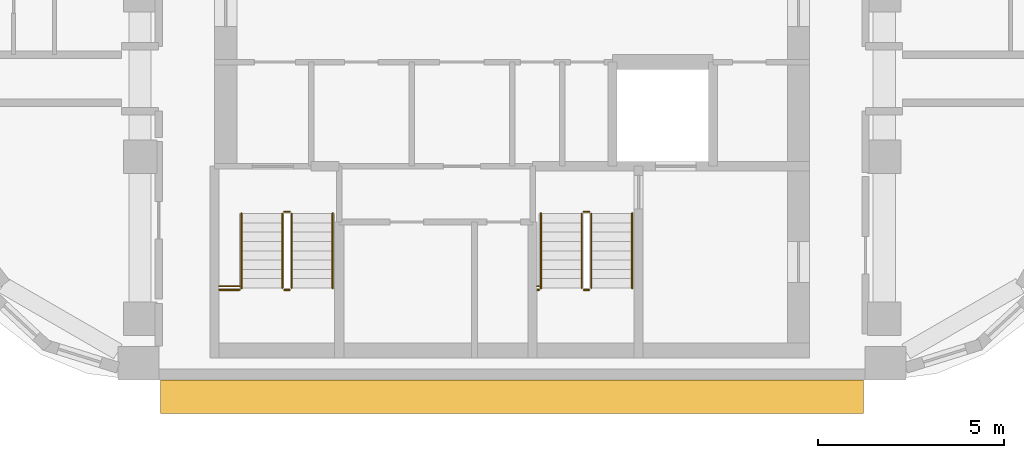
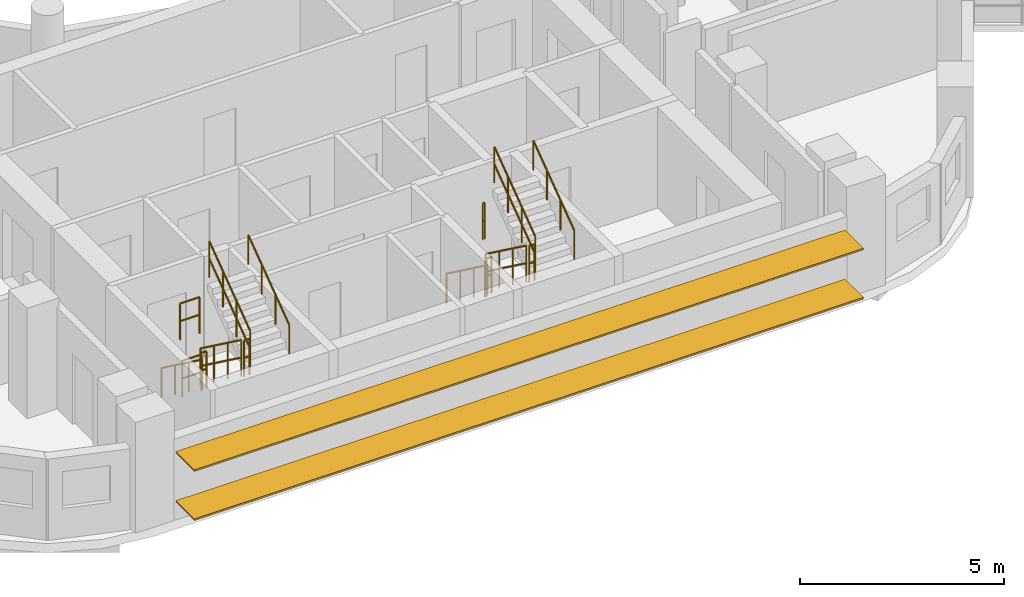
# One storey, part 10 of 12: 16 railings, 2 shading devices.
"""IFC4 building model written with IfcOpenShell, lengths in metres."""

from ifc_helpers import new_model, si_unit, direction, frame, origin, origin_2d, place, context, subcontext, project, spatial, rectangle, circle, extrude, material, material_profile, profile_set, type_object, element, save


model = new_model("IFC4")

# Units and contexts
model_context = context("Model", 3, precision=1e-05, world=origin(), true_north=direction((0.0, 1.0)))
body_context = subcontext(model_context, "Body", "Model", "MODEL_VIEW")
ifc_project = project(units=[si_unit("LENGTHUNIT", "METRE"), si_unit("AREAUNIT", "SQUARE_METRE"), si_unit("VOLUMEUNIT", "CUBIC_METRE"), si_unit("PLANEANGLEUNIT", "RADIAN"), si_unit("MASSUNIT", "GRAM", prefix="KILO")], contexts=[model_context])

# Site, building, storey
site_placement = place(None, origin())
site = spatial("IfcSite", under=ifc_project, at=site_placement, CompositionType="ELEMENT")
building_placement = place(site_placement, origin())
building = spatial("IfcBuilding", under=site, at=building_placement, Name="Nakaniwa Court", CompositionType="ELEMENT")
storey_placement = place(building_placement, frame((0.0, 0.0, 229.5)))
storey = spatial("IfcBuildingStorey", under=building, at=storey_placement, Name="L59", CompositionType="ELEMENT", Elevation=229.5)

# Shading devices
ifc_material_1 = material(Name="Perforated charcoal ceramic louvre blade")
ifc_material_profile = material_profile(ifc_material_1, rectangle(XDim=0.89990234375, YDim=0.050048828125, at=origin_2d()), Name="Perforated ceramic louvre blade")
ifc_profile_set = profile_set([ifc_material_profile], Name="Perforated charcoal ceramic louvre blade")
shading_device_type = type_object("IfcShadingDeviceType", Name="Perforated ceramic louvre blade", PredefinedType="JALOUSIE", material=ifc_profile_set)
for number, where, z_axis, x_axis, name in (
    (1, (70.55078125, 56.89990234375, 0.550048828125), (1.0, 0.0, 0.0), (0.0, 1.0, 0.0), "L59 perforated ceramic louvre blade w26 1"),
    (2, (70.55078125, 56.89990234375, 2.014892578125), (1.0, 0.0, 0.0), (0.0, 1.0, 0.0), "L59 perforated ceramic louvre blade w26 2"),
):
    element("IfcShadingDevice", number, at=place(storey_placement, frame(where, z_axis=z_axis, x_axis=x_axis)), inside=storey, type_object=shading_device_type, Name=name, PredefinedType="JALOUSIE", context=body_context, shape_type="SweptSolid", body=[
        extrude(rectangle(XDim=0.89990234375, YDim=0.050048828125, at=origin_2d()), origin(), (0.0, 0.0, 1.0), 18.892822265625),
    ])

# Railings
ifc_material_2 = material(Name="Black powder coated steel guard", Category="steel")
railing_type_1 = type_object("IfcRailingType", Name="Stair guard 1100", PredefinedType="GUARDRAIL", material=ifc_material_2)
railing_1_placement = place(storey_placement, frame((73.824951171875, 61.824951171875, 0.183349609375)))
element("IfcRailing", 3, at=railing_1_placement, inside=storey, type_object=railing_type_1, Name="L59 ST3 stair guard 1", PredefinedType="GUARDRAIL", context=body_context, shape_type="SweptSolid", body=[
    extrude(circle(Radius=0.02392578125, at=origin_2d()), frame((0.0, 0.0, 1.076171875), z_axis=(0.0, -0.806426902644, 0.591333789573), x_axis=(1.0, 0.0, 0.0)), (0.0, 0.0, 1.0), 2.47998046875),
    extrude(circle(Radius=0.02392578125, at=origin_2d()), frame((0.0, 0.0, 0.550048828125), z_axis=(0.0, -0.806426902644, 0.591333789573), x_axis=(1.0, 0.0, 0.0)), (0.0, 0.0, 1.0), 2.47998046875),
    extrude(circle(Radius=0.02099609375, at=origin_2d()), origin(), (0.0, 0.0, 1.0), 1.052001953125),
    extrude(circle(Radius=0.02099609375, at=origin_2d()), frame((0.0, -0.666748046875, 0.48876953125)), (0.0, 0.0, 1.0), 1.052001953125),
    extrude(circle(Radius=0.02099609375, at=origin_2d()), frame((0.0, -1.333251953125, 0.977783203125)), (0.0, 0.0, 1.0), 1.052001953125),
    extrude(circle(Radius=0.02099609375, at=origin_2d()), frame((0.0, -2.0, 1.466552734375)), (0.0, 0.0, 1.0), 1.052001953125),
])
railing_2_placement = place(storey_placement, frame((73.875, 59.77490234375, 1.64990234375)))
element("IfcRailing", 4, at=railing_2_placement, inside=storey, type_object=railing_type_1, Name="L59 ST3 stair guard 2", PredefinedType="GUARDRAIL", context=body_context, shape_type="SweptSolid", body=[
    extrude(circle(Radius=0.02392578125, at=origin_2d()), frame((0.0, 0.0, 1.076171875), z_axis=(1.0, 0.0, 0.0), x_axis=(0.0, 1.0, 0.0)), (0.0, 0.0, 1.0), 0.14990234375),
    extrude(circle(Radius=0.02392578125, at=origin_2d()), frame((0.0, 0.0, 0.550048828125), z_axis=(1.0, 0.0, 0.0), x_axis=(0.0, 1.0, 0.0)), (0.0, 0.0, 1.0), 0.14990234375),
    extrude(circle(Radius=0.02099609375, at=origin_2d()), origin(), (0.0, 0.0, 1.0), 1.052001953125),
    extrude(circle(Radius=0.02099609375, at=origin_2d()), frame((0.14990234375, 0.0, 0.0)), (0.0, 0.0, 1.0), 1.052001953125),
])
railing_3_placement = place(storey_placement, frame((74.074951171875, 59.824951171875, 1.833251953125)))
element("IfcRailing", 5, at=railing_3_placement, inside=storey, type_object=railing_type_1, Name="L59 ST3 stair guard 3", PredefinedType="GUARDRAIL", context=body_context, shape_type="SweptSolid", body=[
    extrude(circle(Radius=0.02392578125, at=origin_2d()), frame((0.0, 0.0, 1.076171875), z_axis=(0.0, 0.806379959628, 0.591397802423), x_axis=(-1.0, 0.0, 0.0)), (0.0, 0.0, 1.0), 2.480224609375),
    extrude(circle(Radius=0.02392578125, at=origin_2d()), frame((0.0, 0.0, 0.550048828125), z_axis=(0.0, 0.806379959628, 0.591397802423), x_axis=(-1.0, 0.0, 0.0)), (0.0, 0.0, 1.0), 2.480224609375),
    extrude(circle(Radius=0.02099609375, at=origin_2d()), origin(), (0.0, 0.0, 1.0), 1.052001953125),
    extrude(circle(Radius=0.02099609375, at=origin_2d()), frame((0.0, 0.666748046875, 0.489013671875)), (0.0, 0.0, 1.0), 1.052001953125),
    extrude(circle(Radius=0.02099609375, at=origin_2d()), frame((0.0, 1.333251953125, 0.977783203125)), (0.0, 0.0, 1.0), 1.052001953125),
    extrude(circle(Radius=0.02099609375, at=origin_2d()), frame((0.0, 2.0, 1.466796875)), (0.0, 0.0, 1.0), 1.052001953125),
])
railing_4_placement = place(storey_placement, frame((73.875, 61.875, 0.0)))
element("IfcRailing", 6, at=railing_4_placement, inside=storey, type_object=railing_type_1, Name="L59 ST3 stair guard 4", PredefinedType="GUARDRAIL", context=body_context, shape_type="SweptSolid", body=[
    extrude(circle(Radius=0.02392578125, at=origin_2d()), frame((0.0, 0.0, 1.076171875), z_axis=(1.0, 0.0, 0.0), x_axis=(0.0, 1.0, 0.0)), (0.0, 0.0, 1.0), 0.14990234375),
    extrude(circle(Radius=0.02392578125, at=origin_2d()), frame((0.0, 0.0, 0.550048828125), z_axis=(1.0, 0.0, 0.0), x_axis=(0.0, 1.0, 0.0)), (0.0, 0.0, 1.0), 0.14990234375),
    extrude(circle(Radius=0.02099609375, at=origin_2d()), origin(), (0.0, 0.0, 1.0), 1.052001953125),
    extrude(circle(Radius=0.02099609375, at=origin_2d()), frame((0.14990234375, 0.0, 0.0)), (0.0, 0.0, 1.0), 1.052001953125),
])
for number, where, name in (
    (7, (72.125, 59.77490234375, 1.64990234375), "L59 ST3 landing side guard 1W"),
    (8, (72.125, 59.875, 3.300048828125), "L59 ST3 floor edge guard 1W"),
):
    element("IfcRailing", number, at=place(storey_placement, frame(where)), inside=storey, type_object=railing_type_1, Name=name, PredefinedType="GUARDRAIL", context=body_context, shape_type="SweptSolid", body=[
        extrude(circle(Radius=0.02392578125, at=origin_2d()), frame((0.0, 0.0, 1.076171875), z_axis=(1.0, 0.0, 0.0), x_axis=(0.0, 1.0, 0.0)), (0.0, 0.0, 1.0), 0.550048828125),
        extrude(circle(Radius=0.02392578125, at=origin_2d()), frame((0.0, 0.0, 0.550048828125), z_axis=(1.0, 0.0, 0.0), x_axis=(0.0, 1.0, 0.0)), (0.0, 0.0, 1.0), 0.550048828125),
        extrude(circle(Radius=0.02099609375, at=origin_2d()), origin(), (0.0, 0.0, 1.0), 1.052001953125),
        extrude(circle(Radius=0.02099609375, at=origin_2d()), frame((0.550048828125, 0.0, 0.0)), (0.0, 0.0, 1.0), 1.052001953125),
    ])
railing_5_placement = place(storey_placement, frame((81.875, 61.824951171875, 0.183349609375)))
element("IfcRailing", 9, at=railing_5_placement, inside=storey, type_object=railing_type_1, Name="L59 ST4 stair guard 1", PredefinedType="GUARDRAIL", context=body_context, shape_type="SweptSolid", body=[
    extrude(circle(Radius=0.02392578125, at=origin_2d()), frame((0.0, 0.0, 1.076171875), z_axis=(0.0, -0.806426902644, 0.591333789573), x_axis=(1.0, 0.0, 0.0)), (0.0, 0.0, 1.0), 2.47998046875),
    extrude(circle(Radius=0.02392578125, at=origin_2d()), frame((0.0, 0.0, 0.550048828125), z_axis=(0.0, -0.806426902644, 0.591333789573), x_axis=(1.0, 0.0, 0.0)), (0.0, 0.0, 1.0), 2.47998046875),
    extrude(circle(Radius=0.02099609375, at=origin_2d()), origin(), (0.0, 0.0, 1.0), 1.052001953125),
    extrude(circle(Radius=0.02099609375, at=origin_2d()), frame((0.0, -0.666748046875, 0.48876953125)), (0.0, 0.0, 1.0), 1.052001953125),
    extrude(circle(Radius=0.02099609375, at=origin_2d()), frame((0.0, -1.333251953125, 0.977783203125)), (0.0, 0.0, 1.0), 1.052001953125),
    extrude(circle(Radius=0.02099609375, at=origin_2d()), frame((0.0, -2.0, 1.466552734375)), (0.0, 0.0, 1.0), 1.052001953125),
])
railing_6_placement = place(storey_placement, frame((81.925048828125, 59.77490234375, 1.64990234375)))
element("IfcRailing", 10, at=railing_6_placement, inside=storey, type_object=railing_type_1, Name="L59 ST4 stair guard 2", PredefinedType="GUARDRAIL", context=body_context, shape_type="SweptSolid", body=[
    extrude(circle(Radius=0.02392578125, at=origin_2d()), frame((0.0, 0.0, 1.076171875), z_axis=(1.0, 0.0, 0.0), x_axis=(0.0, 1.0, 0.0)), (0.0, 0.0, 1.0), 0.14990234375),
    extrude(circle(Radius=0.02392578125, at=origin_2d()), frame((0.0, 0.0, 0.550048828125), z_axis=(1.0, 0.0, 0.0), x_axis=(0.0, 1.0, 0.0)), (0.0, 0.0, 1.0), 0.14990234375),
    extrude(circle(Radius=0.02099609375, at=origin_2d()), origin(), (0.0, 0.0, 1.0), 1.052001953125),
    extrude(circle(Radius=0.02099609375, at=origin_2d()), frame((0.14990234375, 0.0, 0.0)), (0.0, 0.0, 1.0), 1.052001953125),
])
railing_7_placement = place(storey_placement, frame((82.125, 59.824951171875, 1.833251953125)))
element("IfcRailing", 11, at=railing_7_placement, inside=storey, type_object=railing_type_1, Name="L59 ST4 stair guard 3", PredefinedType="GUARDRAIL", context=body_context, shape_type="SweptSolid", body=[
    extrude(circle(Radius=0.02392578125, at=origin_2d()), frame((0.0, 0.0, 1.076171875), z_axis=(0.0, 0.806379959628, 0.591397802423), x_axis=(-1.0, 0.0, 0.0)), (0.0, 0.0, 1.0), 2.480224609375),
    extrude(circle(Radius=0.02392578125, at=origin_2d()), frame((0.0, 0.0, 0.550048828125), z_axis=(0.0, 0.806379959628, 0.591397802423), x_axis=(-1.0, 0.0, 0.0)), (0.0, 0.0, 1.0), 2.480224609375),
    extrude(circle(Radius=0.02099609375, at=origin_2d()), origin(), (0.0, 0.0, 1.0), 1.052001953125),
    extrude(circle(Radius=0.02099609375, at=origin_2d()), frame((0.0, 0.666748046875, 0.489013671875)), (0.0, 0.0, 1.0), 1.052001953125),
    extrude(circle(Radius=0.02099609375, at=origin_2d()), frame((0.0, 1.333251953125, 0.977783203125)), (0.0, 0.0, 1.0), 1.052001953125),
    extrude(circle(Radius=0.02099609375, at=origin_2d()), frame((0.0, 2.0, 1.466796875)), (0.0, 0.0, 1.0), 1.052001953125),
])
railing_8_placement = place(storey_placement, frame((81.925048828125, 61.875, 0.0)))
element("IfcRailing", 12, at=railing_8_placement, inside=storey, type_object=railing_type_1, Name="L59 ST4 stair guard 4", PredefinedType="GUARDRAIL", context=body_context, shape_type="SweptSolid", body=[
    extrude(circle(Radius=0.02392578125, at=origin_2d()), frame((0.0, 0.0, 1.076171875), z_axis=(1.0, 0.0, 0.0), x_axis=(0.0, 1.0, 0.0)), (0.0, 0.0, 1.0), 0.14990234375),
    extrude(circle(Radius=0.02392578125, at=origin_2d()), frame((0.0, 0.0, 0.550048828125), z_axis=(1.0, 0.0, 0.0), x_axis=(0.0, 1.0, 0.0)), (0.0, 0.0, 1.0), 0.14990234375),
    extrude(circle(Radius=0.02099609375, at=origin_2d()), origin(), (0.0, 0.0, 1.0), 1.052001953125),
    extrude(circle(Radius=0.02099609375, at=origin_2d()), frame((0.14990234375, 0.0, 0.0)), (0.0, 0.0, 1.0), 1.052001953125),
])
for number, where, name in (
    (13, (80.675048828125, 59.77490234375, 1.64990234375), "L59 ST4 landing side guard 1W"),
    (14, (80.675048828125, 59.875, 3.300048828125), "L59 ST4 floor edge guard 1W"),
):
    element("IfcRailing", number, at=place(storey_placement, frame(where)), inside=storey, type_object=railing_type_1, Name=name, PredefinedType="GUARDRAIL", context=body_context, shape_type="SweptSolid", body=[
        extrude(circle(Radius=0.02392578125, at=origin_2d()), frame((0.0, 0.0, 1.076171875), z_axis=(1.0, 0.0, 0.0), x_axis=(0.0, 1.0, 0.0)), (0.0, 0.0, 1.0), 0.050048828125),
        extrude(circle(Radius=0.02392578125, at=origin_2d()), frame((0.0, 0.0, 0.550048828125), z_axis=(1.0, 0.0, 0.0), x_axis=(0.0, 1.0, 0.0)), (0.0, 0.0, 1.0), 0.050048828125),
        extrude(circle(Radius=0.02099609375, at=origin_2d()), origin(), (0.0, 0.0, 1.0), 1.052001953125),
        extrude(circle(Radius=0.02099609375, at=origin_2d()), frame((0.050048828125, 0.0, 0.0)), (0.0, 0.0, 1.0), 1.052001953125),
    ])
ifc_material_3 = material(Name="Black powder coated steel handrail", Category="steel")
railing_type_2 = type_object("IfcRailingType", Name="Stair handrail 900", PredefinedType="HANDRAIL", material=ifc_material_3)
railing_9_placement = place(storey_placement, frame((72.72509765625, 61.824951171875, 0.183349609375)))
element("IfcRailing", 15, at=railing_9_placement, inside=storey, type_object=railing_type_2, Name="L59 ST3 stair handrail 1", PredefinedType="HANDRAIL", context=body_context, shape_type="SweptSolid", body=[
    extrude(circle(Radius=0.02392578125, at=origin_2d()), frame((0.0, 0.0, 0.8759765625), z_axis=(0.0, -0.806426902644, 0.591333789573), x_axis=(1.0, 0.0, 0.0)), (0.0, 0.0, 1.0), 2.47998046875),
    extrude(circle(Radius=0.02099609375, at=origin_2d()), origin(), (0.0, 0.0, 1.0), 0.851806640625),
    extrude(circle(Radius=0.02099609375, at=origin_2d()), frame((0.0, -0.666748046875, 0.48876953125)), (0.0, 0.0, 1.0), 0.851806640625),
    extrude(circle(Radius=0.02099609375, at=origin_2d()), frame((0.0, -1.333251953125, 0.977783203125)), (0.0, 0.0, 1.0), 0.851806640625),
    extrude(circle(Radius=0.02099609375, at=origin_2d()), frame((0.0, -2.0, 1.466552734375)), (0.0, 0.0, 1.0), 0.851806640625),
])
railing_10_placement = place(storey_placement, frame((75.175048828125, 59.824951171875, 1.833251953125)))
element("IfcRailing", 16, at=railing_10_placement, inside=storey, type_object=railing_type_2, Name="L59 ST3 stair handrail 2", PredefinedType="HANDRAIL", context=body_context, shape_type="SweptSolid", body=[
    extrude(circle(Radius=0.02392578125, at=origin_2d()), frame((0.0, 0.0, 0.8759765625), z_axis=(0.0, 0.806379959628, 0.591397802423), x_axis=(-1.0, 0.0, 0.0)), (0.0, 0.0, 1.0), 2.480224609375),
    extrude(circle(Radius=0.02099609375, at=origin_2d()), origin(), (0.0, 0.0, 1.0), 0.851806640625),
    extrude(circle(Radius=0.02099609375, at=origin_2d()), frame((0.0, 0.666748046875, 0.489013671875)), (0.0, 0.0, 1.0), 0.851806640625),
    extrude(circle(Radius=0.02099609375, at=origin_2d()), frame((0.0, 1.333251953125, 0.977783203125)), (0.0, 0.0, 1.0), 0.851806640625),
    extrude(circle(Radius=0.02099609375, at=origin_2d()), frame((0.0, 2.0, 1.466796875)), (0.0, 0.0, 1.0), 0.851806640625),
])
railing_11_placement = place(storey_placement, frame((80.77490234375, 61.824951171875, 0.183349609375)))
element("IfcRailing", 17, at=railing_11_placement, inside=storey, type_object=railing_type_2, Name="L59 ST4 stair handrail 1", PredefinedType="HANDRAIL", context=body_context, shape_type="SweptSolid", body=[
    extrude(circle(Radius=0.02392578125, at=origin_2d()), frame((0.0, 0.0, 0.8759765625), z_axis=(0.0, -0.806426902644, 0.591333789573), x_axis=(1.0, 0.0, 0.0)), (0.0, 0.0, 1.0), 2.47998046875),
    extrude(circle(Radius=0.02099609375, at=origin_2d()), origin(), (0.0, 0.0, 1.0), 0.851806640625),
    extrude(circle(Radius=0.02099609375, at=origin_2d()), frame((0.0, -0.666748046875, 0.48876953125)), (0.0, 0.0, 1.0), 0.851806640625),
    extrude(circle(Radius=0.02099609375, at=origin_2d()), frame((0.0, -1.333251953125, 0.977783203125)), (0.0, 0.0, 1.0), 0.851806640625),
    extrude(circle(Radius=0.02099609375, at=origin_2d()), frame((0.0, -2.0, 1.466552734375)), (0.0, 0.0, 1.0), 0.851806640625),
])
railing_12_placement = place(storey_placement, frame((83.22509765625, 59.824951171875, 1.833251953125)))
element("IfcRailing", 18, at=railing_12_placement, inside=storey, type_object=railing_type_2, Name="L59 ST4 stair handrail 2", PredefinedType="HANDRAIL", context=body_context, shape_type="SweptSolid", body=[
    extrude(circle(Radius=0.02392578125, at=origin_2d()), frame((0.0, 0.0, 0.8759765625), z_axis=(0.0, 0.806379959628, 0.591397802423), x_axis=(-1.0, 0.0, 0.0)), (0.0, 0.0, 1.0), 2.480224609375),
    extrude(circle(Radius=0.02099609375, at=origin_2d()), origin(), (0.0, 0.0, 1.0), 0.851806640625),
    extrude(circle(Radius=0.02099609375, at=origin_2d()), frame((0.0, 0.666748046875, 0.489013671875)), (0.0, 0.0, 1.0), 0.851806640625),
    extrude(circle(Radius=0.02099609375, at=origin_2d()), frame((0.0, 1.333251953125, 0.977783203125)), (0.0, 0.0, 1.0), 0.851806640625),
    extrude(circle(Radius=0.02099609375, at=origin_2d()), frame((0.0, 2.0, 1.466796875)), (0.0, 0.0, 1.0), 0.851806640625),
])

save(model, "model.ifc")
